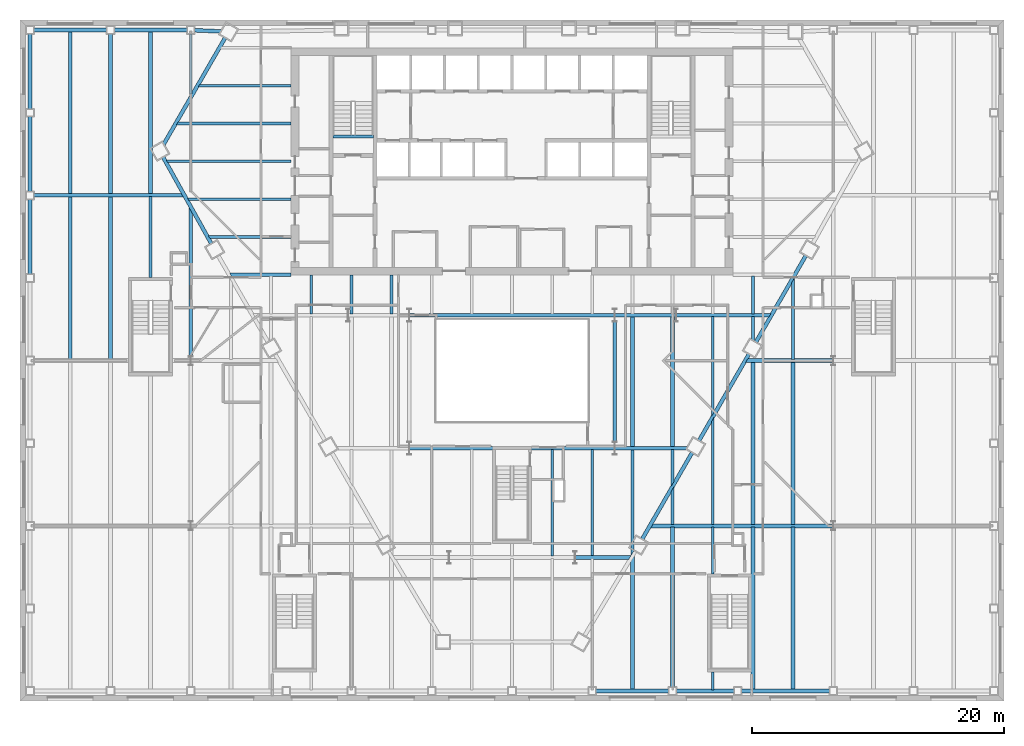
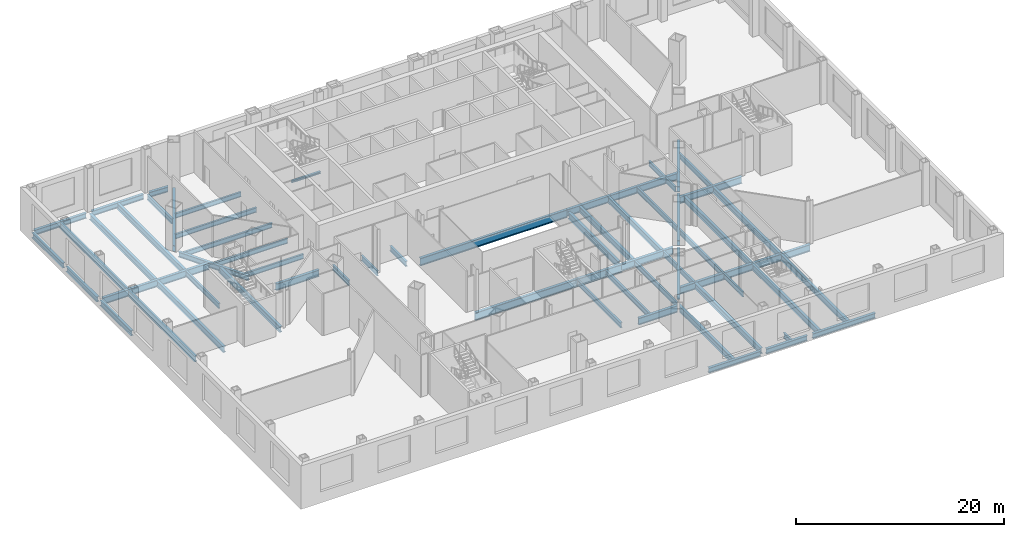
# One storey, part 5 of 21: 62 beams.
"""IFC4 building model written with IfcOpenShell, lengths in metres."""

from ifc_helpers import new_model, si_unit, direction, frame, origin, origin_2d, place, context, subcontext, project, spatial, i_section, extrude, clip, halfspace, material, material_profile, profile_set, type_object, element, save


model = new_model("IFC4")

# Units and contexts
model_context = context("Model", 3, precision=1e-05, world=origin(), true_north=direction((0.0, 1.0)))
body_context = subcontext(model_context, "Body", "Model", "MODEL_VIEW")
ifc_project = project(units=[si_unit("LENGTHUNIT", "METRE"), si_unit("AREAUNIT", "SQUARE_METRE"), si_unit("VOLUMEUNIT", "CUBIC_METRE"), si_unit("PLANEANGLEUNIT", "RADIAN"), si_unit("MASSUNIT", "GRAM", prefix="KILO")], contexts=[model_context])

# Site, building, storey
site_placement = place(None, origin())
site = spatial("IfcSite", under=ifc_project, at=site_placement, CompositionType="ELEMENT")
building_placement = place(site_placement, origin())
building = spatial("IfcBuilding", under=site, at=building_placement, Name="Njiva Tower", CompositionType="ELEMENT")
storey_placement = place(building_placement, frame((0.0, 0.0, 13.5)))
storey = spatial("IfcBuildingStorey", under=building, at=storey_placement, Name="L02", CompositionType="ELEMENT", Elevation=13.5)

# Beams
ifc_material = material(Name="Steel S355 J2", Category="steel")
ifc_material_profile_1 = material_profile(ifc_material, i_section(OverallWidth=0.3, OverallDepth=0.69, WebThickness=0.0145, FlangeThickness=0.027, at=origin_2d()), Name="HEA 700")
ifc_profile_set_1 = profile_set([ifc_material_profile_1], Name="Steel S355 J2")
beam_type_1 = type_object("IfcBeamType", Name="B1 Long-span spandrel beam HEA 700", PredefinedType="SPANDREL", material=ifc_profile_set_1)
beam_1_placement = place(storey_placement, frame((-22.736, 18.791, -0.565), z_axis=(-0.499971337603, -0.866041951395, 0.0), x_axis=(0.866041951395, -0.499971337603, 0.0)))
element("IfcBeam", 1, at=beam_1_placement, inside=storey, type_object=beam_type_1, Name="Long-span spandrel beam L02-B147", PredefinedType="SPANDREL", context=body_context, shape_type="Clipping", body=[
    clip(extrude(i_section(OverallWidth=0.3, OverallDepth=0.69, WebThickness=0.0145, FlangeThickness=0.027, at=origin_2d()), origin(), (0.0, 0.0, 1.0), 9.8456), halfspace(frame((-0.0253, 0.0, 9.7239), z_axis=(-0.500030652022, 0.0, 0.866007706108), x_axis=(0.0, 1.0, 0.0)), False)),
])
ifc_material_profile_2 = material_profile(ifc_material, i_section(OverallWidth=0.21, OverallDepth=0.55, WebThickness=0.0111, FlangeThickness=0.0172, at=origin_2d()), Name="IPE 550")
ifc_profile_set_2 = profile_set([ifc_material_profile_2], Name="Steel S355 J2")
beam_type_2 = type_object("IfcBeamType", Name="B10 Floor beam to the core IPE 550", PredefinedType="BEAM", material=ifc_profile_set_2)
beam_2_placement = place(storey_placement, frame((-24.091, 3.0, -0.495), z_axis=(1.0, 0.0, 0.0), x_axis=(0.0, 1.0, 0.0)))
element("IfcBeam", 2, at=beam_2_placement, inside=storey, type_object=beam_type_2, Name="Floor beam to the core L02-B005", PredefinedType="BEAM", context=body_context, shape_type="Clipping", body=[
    clip(extrude(i_section(OverallWidth=0.21, OverallDepth=0.55, WebThickness=0.0111, FlangeThickness=0.0172, at=origin_2d()), origin(), (0.0, 0.0, 1.0), 6.591), halfspace(frame((-0.0244, 0.0, 0.0929), z_axis=(-0.487051738924, 0.0, -0.87337311821), x_axis=(0.0, -1.0, 0.0)), False)),
])
beam_3_placement = place(storey_placement, frame((-25.764, 6.0, -0.495), z_axis=(1.0, 0.0, 0.0), x_axis=(0.0, 1.0, 0.0)))
element("IfcBeam", 3, at=beam_3_placement, inside=storey, type_object=beam_type_2, Name="Floor beam to the core L02-B003", PredefinedType="BEAM", context=body_context, shape_type="Clipping", body=[
    clip(extrude(i_section(OverallWidth=0.21, OverallDepth=0.55, WebThickness=0.0111, FlangeThickness=0.0172, at=origin_2d()), origin(), (0.0, 0.0, 1.0), 8.264), halfspace(frame((-0.0244, 0.0, 0.093), z_axis=(-0.487051738924, 0.0, -0.87337311821), x_axis=(0.0, -1.0, 0.0)), False)),
])
beam_4_placement = place(storey_placement, frame((-26.622, 12.0, -0.495), z_axis=(1.0, 0.0, 0.0), x_axis=(0.0, 1.0, 0.0)))
element("IfcBeam", 4, at=beam_4_placement, inside=storey, type_object=beam_type_2, Name="Floor beam to the core L02-B002", PredefinedType="BEAM", context=body_context, shape_type="Clipping", body=[
    clip(extrude(i_section(OverallWidth=0.21, OverallDepth=0.55, WebThickness=0.0111, FlangeThickness=0.0172, at=origin_2d()), origin(), (0.0, 0.0, 1.0), 9.122), halfspace(frame((0.025, 0.0, 0.0951), z_axis=(0.499998009787, 0.0, -0.866026552831), x_axis=(0.0, -1.0, 0.0)), False)),
])
beam_5_placement = place(storey_placement, frame((-24.89, 15.0, -0.495), z_axis=(1.0, 0.0, 0.0), x_axis=(0.0, 1.0, 0.0)))
element("IfcBeam", 5, at=beam_5_placement, inside=storey, type_object=beam_type_2, Name="Floor beam to the core L02-B004", PredefinedType="BEAM", context=body_context, shape_type="Clipping", body=[
    clip(extrude(i_section(OverallWidth=0.21, OverallDepth=0.55, WebThickness=0.0111, FlangeThickness=0.0172, at=origin_2d()), origin(), (0.0, 0.0, 1.0), 7.39), halfspace(frame((0.025, 0.0, 0.0951), z_axis=(0.499998009787, 0.0, -0.866026552831), x_axis=(0.0, -1.0, 0.0)), False)),
])
ifc_material_profile_3 = material_profile(ifc_material, i_section(OverallWidth=0.21, OverallDepth=0.55, WebThickness=0.0111, FlangeThickness=0.0172, at=origin_2d()), Name="IPE 550")
ifc_profile_set_3 = profile_set([ifc_material_profile_3], Name="Steel S355 J2")
beam_type_3 = type_object("IfcBeamType", Name="B11 Long-span floor beam to the core IPE 550", PredefinedType="BEAM", material=ifc_profile_set_3)
beam_6_placement = place(storey_placement, frame((-27.437, 9.0, -0.495), z_axis=(1.0, 0.0, 0.0), x_axis=(0.0, 1.0, 0.0)))
element("IfcBeam", 6, at=beam_6_placement, inside=storey, type_object=beam_type_3, Name="Long-span floor beam to the core L02-B001", PredefinedType="BEAM", context=body_context, shape_type="Clipping", body=[
    clip(extrude(i_section(OverallWidth=0.21, OverallDepth=0.55, WebThickness=0.0111, FlangeThickness=0.0172, at=origin_2d()), origin(), (0.0, 0.0, 1.0), 9.937), halfspace(frame((-0.0244, 0.0, 0.093), z_axis=(-0.487051738924, 0.0, -0.87337311821), x_axis=(0.0, -1.0, 0.0)), False)),
])
ifc_material_profile_4 = material_profile(ifc_material, i_section(OverallWidth=0.3, OverallDepth=0.69, WebThickness=0.0145, FlangeThickness=0.027, at=origin_2d()), Name="HEA 700")
ifc_profile_set_4 = profile_set([ifc_material_profile_4], Name="Steel S355 J2")
beam_type_4 = type_object("IfcBeamType", Name="B12 Long-span floor joist HEA 700", PredefinedType="JOIST", material=ifc_profile_set_4)
for number, where, z_axis, x_axis, name in (
    (7, (-35.017, 19.3, -0.565), (0.0, -1.0, 0.0), (1.0, 0.0, 0.0), "Long-span floor joist L02-B039"),
    (8, (-35.017, 6.2, -0.565), (0.0, -1.0, 0.0), (1.0, 0.0, 0.0), "Long-span floor joist L02-B038"),
):
    element("IfcBeam", number, at=place(storey_placement, frame(where, z_axis=z_axis, x_axis=x_axis)), inside=storey, type_object=beam_type_4, Name=name, PredefinedType="JOIST", context=body_context, shape_type="SweptSolid", body=[
        extrude(i_section(OverallWidth=0.3, OverallDepth=0.69, WebThickness=0.0145, FlangeThickness=0.027, at=origin_2d()), origin(), (0.0, 0.0, 1.0), 12.9),
    ])
beam_7_placement = place(storey_placement, frame((-31.833, 19.1, -0.565), z_axis=(0.0, -1.0, 0.0), x_axis=(1.0, 0.0, 0.0)))
element("IfcBeam", 9, at=beam_7_placement, inside=storey, type_object=beam_type_4, Name="Long-span floor joist L02-B043", PredefinedType="JOIST", context=body_context, shape_type="SweptSolid", body=[
    extrude(i_section(OverallWidth=0.3, OverallDepth=0.69, WebThickness=0.0145, FlangeThickness=0.027, at=origin_2d()), origin(), (0.0, 0.0, 1.0), 12.7),
])
for number, where, z_axis, x_axis, name in (
    (10, (-31.833, 6.2, -0.565), (0.0, -1.0, 0.0), (1.0, 0.0, 0.0), "Long-span floor joist L02-B042"),
    (11, (-28.65, 19.3, -0.565), (0.0, -1.0, 0.0), (1.0, 0.0, 0.0), "Long-span floor joist L02-B047"),
):
    element("IfcBeam", number, at=place(storey_placement, frame(where, z_axis=z_axis, x_axis=x_axis)), inside=storey, type_object=beam_type_4, Name=name, PredefinedType="JOIST", context=body_context, shape_type="SweptSolid", body=[
        extrude(i_section(OverallWidth=0.3, OverallDepth=0.69, WebThickness=0.0145, FlangeThickness=0.027, at=origin_2d()), origin(), (0.0, 0.0, 1.0), 12.9),
    ])
beam_8_placement = place(storey_placement, frame((-25.467, 5.288, -0.565), z_axis=(0.0, -1.0, 0.0), x_axis=(1.0, 0.0, 0.0)))
element("IfcBeam", 12, at=beam_8_placement, inside=storey, type_object=beam_type_4, Name="Long-span floor joist L02-B050", PredefinedType="JOIST", context=body_context, shape_type="SweptSolid", body=[
    extrude(i_section(OverallWidth=0.3, OverallDepth=0.69, WebThickness=0.0145, FlangeThickness=0.027, at=origin_2d()), origin(), (0.0, 0.0, 1.0), 11.78),
])
beam_9_placement = place(storey_placement, frame((9.55, -3.3, -0.565), z_axis=(0.0, -1.0, 0.0), x_axis=(1.0, 0.0, 0.0)))
element("IfcBeam", 13, at=beam_9_placement, inside=storey, type_object=beam_type_4, Name="Long-span floor joist L02-B095", PredefinedType="JOIST", context=body_context, shape_type="SweptSolid", body=[
    extrude(i_section(OverallWidth=0.3, OverallDepth=0.69, WebThickness=0.0145, FlangeThickness=0.027, at=origin_2d()), origin(), (0.0, 0.0, 1.0), 10.35),
])
beam_10_placement = place(storey_placement, frame((9.55, -22.243, -0.565), z_axis=(0.0, -1.0, 0.0), x_axis=(1.0, 0.0, 0.0)))
element("IfcBeam", 14, at=beam_10_placement, inside=storey, type_object=beam_type_4, Name="Long-span floor joist L02-B093", PredefinedType="JOIST", context=body_context, shape_type="Clipping", body=[
    clip(extrude(i_section(OverallWidth=0.3, OverallDepth=0.69, WebThickness=0.0145, FlangeThickness=0.027, at=origin_2d()), origin(), (0.0, 0.0, 1.0), 10.657), halfspace(frame((-0.0429, 0.0, 0.2758), z_axis=(-0.858483100847, 0.0, -0.512841852388), x_axis=(0.0, -1.0, 0.0)), False)),
])
beam_11_placement = place(storey_placement, frame((12.733, -3.3, -0.565), z_axis=(0.0, -1.0, 0.0), x_axis=(1.0, 0.0, 0.0)))
element("IfcBeam", 15, at=beam_11_placement, inside=storey, type_object=beam_type_4, Name="Long-span floor joist L02-B100", PredefinedType="JOIST", context=body_context, shape_type="SweptSolid", body=[
    extrude(i_section(OverallWidth=0.3, OverallDepth=0.69, WebThickness=0.0145, FlangeThickness=0.027, at=origin_2d()), origin(), (0.0, 0.0, 1.0), 10.35),
])
beam_12_placement = place(storey_placement, frame((12.733, -20.001, -0.565), z_axis=(0.0, -1.0, 0.0), x_axis=(1.0, 0.0, 0.0)))
element("IfcBeam", 16, at=beam_12_placement, inside=storey, type_object=beam_type_4, Name="Long-span floor joist L02-B097", PredefinedType="JOIST", context=body_context, shape_type="SweptSolid", body=[
    extrude(i_section(OverallWidth=0.3, OverallDepth=0.69, WebThickness=0.0145, FlangeThickness=0.027, at=origin_2d()), origin(), (0.0, 0.0, 1.0), 12.699),
])
for number, where, z_axis, x_axis, name in (
    (17, (19.1, -6.9, -0.565), (0.0, -1.0, 0.0), (1.0, 0.0, 0.0), "Long-span floor joist L02-B108"),
    (18, (19.1, -20.001, -0.565), (0.0, -1.0, 0.0), (1.0, 0.0, 0.0), "Long-span floor joist L02-B107"),
    (19, (22.283, -6.9, -0.565), (0.0, -1.0, 0.0), (1.0, 0.0, 0.0), "Long-span floor joist L02-B112"),
    (20, (22.283, -20.001, -0.565), (0.0, -1.0, 0.0), (1.0, 0.0, 0.0), "Long-span floor joist L02-B111"),
):
    element("IfcBeam", number, at=place(storey_placement, frame(where, z_axis=z_axis, x_axis=x_axis)), inside=storey, type_object=beam_type_4, Name=name, PredefinedType="JOIST", context=body_context, shape_type="SweptSolid", body=[
        extrude(i_section(OverallWidth=0.3, OverallDepth=0.69, WebThickness=0.0145, FlangeThickness=0.027, at=origin_2d()), origin(), (0.0, 0.0, 1.0), 12.899),
    ])
ifc_material_profile_5 = material_profile(ifc_material, i_section(OverallWidth=0.22, OverallDepth=0.6, WebThickness=0.012, FlangeThickness=0.019, at=origin_2d()), Name="IPE 600")
ifc_profile_set_5 = profile_set([ifc_material_profile_5], Name="Steel S355 J2")
beam_type_5 = type_object("IfcBeamType", Name="B13 Floor joist IPE 600", PredefinedType="JOIST", material=ifc_profile_set_5)
beam_13_placement = place(storey_placement, frame((-28.65, 6.2, -0.52), z_axis=(0.0, -1.0, 0.0), x_axis=(1.0, 0.0, 0.0)))
element("IfcBeam", 21, at=beam_13_placement, inside=storey, type_object=beam_type_5, Name="Floor joist L02-B046", PredefinedType="JOIST", context=body_context, shape_type="SweptSolid", body=[
    extrude(i_section(OverallWidth=0.22, OverallDepth=0.6, WebThickness=0.012, FlangeThickness=0.019, at=origin_2d()), origin(), (0.0, 0.0, 1.0), 6.4),
])
beam_14_placement = place(storey_placement, frame((-25.467, 19.1, -0.52), z_axis=(0.0, -1.0, 0.0), x_axis=(1.0, 0.0, 0.0)))
element("IfcBeam", 22, at=beam_14_placement, inside=storey, type_object=beam_type_5, Name="Floor joist L02-B051", PredefinedType="JOIST", context=body_context, shape_type="SweptSolid", body=[
    extrude(i_section(OverallWidth=0.22, OverallDepth=0.6, WebThickness=0.012, FlangeThickness=0.019, at=origin_2d()), origin(), (0.0, 0.0, 1.0), 4.772),
])
for number, where, z_axis, x_axis, name in (
    (23, (3.183, -13.851, -0.52), (0.0, -1.0, 0.0), (1.0, 0.0, 0.0), "Floor joist L02-B087"),
    (24, (6.367, -13.851, -0.52), (0.0, -1.0, 0.0), (1.0, 0.0, 0.0), "Floor joist L02-B091"),
):
    element("IfcBeam", number, at=place(storey_placement, frame(where, z_axis=z_axis, x_axis=x_axis)), inside=storey, type_object=beam_type_5, Name=name, PredefinedType="JOIST", context=body_context, shape_type="SweptSolid", body=[
        extrude(i_section(OverallWidth=0.22, OverallDepth=0.6, WebThickness=0.012, FlangeThickness=0.019, at=origin_2d()), origin(), (0.0, 0.0, 1.0), 8.449),
    ])
beam_15_placement = place(storey_placement, frame((9.55, -13.85, -0.52), z_axis=(0.0, -1.0, 0.0), x_axis=(1.0, 0.0, 0.0)))
element("IfcBeam", 25, at=beam_15_placement, inside=storey, type_object=beam_type_5, Name="Floor joist L02-B094", PredefinedType="JOIST", context=body_context, shape_type="Clipping", body=[
    clip(extrude(i_section(OverallWidth=0.22, OverallDepth=0.6, WebThickness=0.012, FlangeThickness=0.019, at=origin_2d()), origin(), (0.0, 0.0, 1.0), 8.411), halfspace(frame((0.0429, 0.0, 8.1351), z_axis=(0.858483100847, 0.0, 0.512841852388), x_axis=(0.0, 1.0, 0.0)), False)),
])
beam_16_placement = place(storey_placement, frame((15.917, -3.3, -0.52), z_axis=(0.0, -1.0, 0.0), x_axis=(1.0, 0.0, 0.0)))
element("IfcBeam", 26, at=beam_16_placement, inside=storey, type_object=beam_type_5, Name="Floor joist L02-B105", PredefinedType="JOIST", context=body_context, shape_type="Clipping", body=[
    clip(extrude(i_section(OverallWidth=0.22, OverallDepth=0.6, WebThickness=0.012, FlangeThickness=0.019, at=origin_2d()), origin(), (0.0, 0.0, 1.0), 7.964), halfspace(frame((0.043, 0.0, 7.6783), z_axis=(0.866026552831, 0.0, 0.499998009787), x_axis=(0.0, 1.0, 0.0)), False)),
])
beam_17_placement = place(storey_placement, frame((15.917, -11.242, -0.52), z_axis=(0.0, -1.0, 0.0), x_axis=(1.0, 0.0, 0.0)))
element("IfcBeam", 27, at=beam_17_placement, inside=storey, type_object=beam_type_5, Name="Floor joist L02-B104", PredefinedType="JOIST", context=body_context, shape_type="Clipping", body=[
    clip(extrude(i_section(OverallWidth=0.22, OverallDepth=0.6, WebThickness=0.012, FlangeThickness=0.019, at=origin_2d()), origin(), (0.0, 0.0, 1.0), 8.557), halfspace(frame((-0.0436, 0.0, 0.2863), z_axis=(-0.866026552831, 0.0, -0.499998009787), x_axis=(0.0, -1.0, 0.0)), False)),
])
beam_18_placement = place(storey_placement, frame((22.283, -0.215, -0.52), z_axis=(0.0, -1.0, 0.0), x_axis=(1.0, 0.0, 0.0)))
element("IfcBeam", 28, at=beam_18_placement, inside=storey, type_object=beam_type_5, Name="Floor joist L02-B113", PredefinedType="JOIST", context=body_context, shape_type="Clipping", body=[
    clip(extrude(i_section(OverallWidth=0.22, OverallDepth=0.6, WebThickness=0.012, FlangeThickness=0.019, at=origin_2d()), origin(), (0.0, 0.0, 1.0), 6.485), halfspace(frame((-0.043, 0.0, 0.2859), z_axis=(-0.866026552831, 0.0, -0.499998009787), x_axis=(0.0, -1.0, 0.0)), False)),
])
ifc_material_profile_6 = material_profile(ifc_material, i_section(OverallWidth=0.22, OverallDepth=0.6, WebThickness=0.012, FlangeThickness=0.019, at=origin_2d()), Name="IPE 600")
ifc_profile_set_6 = profile_set([ifc_material_profile_6], Name="Steel S355 J2")
beam_type_6 = type_object("IfcBeamType", Name="B14 Short-span floor joist IPE 600", PredefinedType="JOIST", material=ifc_profile_set_6)
for number, where, z_axis, x_axis, name in (
    (29, (-15.917, -0.005, -0.52), (0.0, -1.0, 0.0), (1.0, 0.0, 0.0), "Short-span floor joist L02-B063"),
    (30, (-12.733, -0.005, -0.52), (0.0, -1.0, 0.0), (1.0, 0.0, 0.0), "Short-span floor joist L02-B068"),
    (31, (-9.55, -0.005, -0.52), (0.0, -1.0, 0.0), (1.0, 0.0, 0.0), "Short-span floor joist L02-B072"),
):
    element("IfcBeam", number, at=place(storey_placement, frame(where, z_axis=z_axis, x_axis=x_axis)), inside=storey, type_object=beam_type_6, Name=name, PredefinedType="JOIST", context=body_context, shape_type="SweptSolid", body=[
        extrude(i_section(OverallWidth=0.22, OverallDepth=0.6, WebThickness=0.012, FlangeThickness=0.019, at=origin_2d()), origin(), (0.0, 0.0, 1.0), 3.095),
    ])
beam_19_placement = place(storey_placement, frame((12.733, -13.85, -0.52), z_axis=(0.0, -1.0, 0.0), x_axis=(1.0, 0.0, 0.0)))
element("IfcBeam", 32, at=beam_19_placement, inside=storey, type_object=beam_type_6, Name="Short-span floor joist L02-B099", PredefinedType="JOIST", context=body_context, shape_type="Clipping", body=[
    clip(extrude(i_section(OverallWidth=0.22, OverallDepth=0.6, WebThickness=0.012, FlangeThickness=0.019, at=origin_2d()), origin(), (0.0, 0.0, 1.0), 2.928), halfspace(frame((0.0436, 0.0, 2.642), z_axis=(0.866026552831, 0.0, 0.499998009787), x_axis=(0.0, 1.0, 0.0)), False)),
])
beam_20_placement = place(storey_placement, frame((12.733, -16.756, -0.52), z_axis=(0.0, -1.0, 0.0), x_axis=(1.0, 0.0, 0.0)))
element("IfcBeam", 33, at=beam_20_placement, inside=storey, type_object=beam_type_6, Name="Short-span floor joist L02-B098", PredefinedType="JOIST", context=body_context, shape_type="Clipping", body=[
    clip(extrude(i_section(OverallWidth=0.22, OverallDepth=0.6, WebThickness=0.012, FlangeThickness=0.019, at=origin_2d()), origin(), (0.0, 0.0, 1.0), 3.043), halfspace(frame((-0.043, 0.0, 0.286), z_axis=(-0.866026552831, 0.0, -0.499998009787), x_axis=(0.0, -1.0, 0.0)), False)),
])
beam_21_placement = place(storey_placement, frame((15.917, -20.001, -0.52), z_axis=(0.0, -1.0, 0.0), x_axis=(1.0, 0.0, 0.0)))
element("IfcBeam", 34, at=beam_21_placement, inside=storey, type_object=beam_type_6, Name="Short-span floor joist L02-B103", PredefinedType="JOIST", context=body_context, shape_type="SweptSolid", body=[
    extrude(i_section(OverallWidth=0.22, OverallDepth=0.6, WebThickness=0.012, FlangeThickness=0.019, at=origin_2d()), origin(), (0.0, 0.0, 1.0), 3.699),
])
beam_22_placement = place(storey_placement, frame((15.917, -31.5, -0.52), z_axis=(0.0, -1.0, 0.0), x_axis=(1.0, 0.0, 0.0)))
element("IfcBeam", 35, at=beam_22_placement, inside=storey, type_object=beam_type_6, Name="Short-span floor joist L02-B102", PredefinedType="JOIST", context=body_context, shape_type="SweptSolid", body=[
    extrude(i_section(OverallWidth=0.22, OverallDepth=0.6, WebThickness=0.012, FlangeThickness=0.019, at=origin_2d()), origin(), (0.0, 0.0, 1.0), 1.4),
])
beam_23_placement = place(storey_placement, frame((19.1, -0.1, -0.52), z_axis=(0.0, -1.0, 0.0), x_axis=(1.0, 0.0, 0.0)))
element("IfcBeam", 36, at=beam_23_placement, inside=storey, type_object=beam_type_6, Name="Short-span floor joist L02-B110", PredefinedType="JOIST", context=body_context, shape_type="SweptSolid", body=[
    extrude(i_section(OverallWidth=0.22, OverallDepth=0.6, WebThickness=0.012, FlangeThickness=0.019, at=origin_2d()), origin(), (0.0, 0.0, 1.0), 3.0),
])
beam_24_placement = place(storey_placement, frame((19.1, -3.3, -0.52), z_axis=(0.0, -1.0, 0.0), x_axis=(1.0, 0.0, 0.0)))
element("IfcBeam", 37, at=beam_24_placement, inside=storey, type_object=beam_type_6, Name="Short-span floor joist L02-B109", PredefinedType="JOIST", context=body_context, shape_type="Clipping", body=[
    clip(extrude(i_section(OverallWidth=0.22, OverallDepth=0.6, WebThickness=0.012, FlangeThickness=0.019, at=origin_2d()), origin(), (0.0, 0.0, 1.0), 1.978), halfspace(frame((-0.025, 0.0, 1.88), z_axis=(-0.499998009787, 0.0, 0.866026552831), x_axis=(0.0, 1.0, 0.0)), False)),
])
ifc_material_profile_7 = material_profile(ifc_material, i_section(OverallWidth=0.3, OverallDepth=0.6, WebThickness=0.0155, FlangeThickness=0.03, at=origin_2d()), Name="HEB 600")
ifc_profile_set_7 = profile_set([ifc_material_profile_7], Name="Steel S355 J2")
beam_type_7 = type_object("IfcBeamType", Name="B2 Spandrel beam HEB 600", PredefinedType="SPANDREL", material=ifc_profile_set_7)
beam_25_placement = place(storey_placement, frame((-27.654, 9.326, -0.52), z_axis=(0.487083289159, -0.873355522924, 0.0), x_axis=(0.873355522924, 0.487083289159, 0.0)))
element("IfcBeam", 38, at=beam_25_placement, inside=storey, type_object=beam_type_7, Name="Spandrel beam L02-B146", PredefinedType="SPANDREL", context=body_context, shape_type="SweptSolid", body=[
    extrude(i_section(OverallWidth=0.3, OverallDepth=0.6, WebThickness=0.0155, FlangeThickness=0.03, at=origin_2d()), origin(), (0.0, 0.0, 1.0), 7.8364),
])
beam_26_placement = place(storey_placement, frame((10.321, -20.946, -0.52), z_axis=(0.499930249268, 0.866065670643, 0.0), x_axis=(-0.866065670643, 0.499930249268, 0.0)))
element("IfcBeam", 39, at=beam_26_placement, inside=storey, type_object=beam_type_7, Name="Spandrel beam L02-B167", PredefinedType="SPANDREL", context=body_context, shape_type="SweptSolid", body=[
    extrude(i_section(OverallWidth=0.3, OverallDepth=0.6, WebThickness=0.0155, FlangeThickness=0.03, at=origin_2d()), origin(), (0.0, 0.0, 1.0), 7.9151),
])
beam_27_placement = place(storey_placement, frame((14.828, -13.139, -0.52), z_axis=(0.499970304126, 0.866042548026, 0.0), x_axis=(-0.866042548026, 0.499970304126, 0.0)))
element("IfcBeam", 40, at=beam_27_placement, inside=storey, type_object=beam_type_7, Name="Spandrel beam L02-B170", PredefinedType="SPANDREL", context=body_context, shape_type="SweptSolid", body=[
    extrude(i_section(OverallWidth=0.3, OverallDepth=0.6, WebThickness=0.0155, FlangeThickness=0.03, at=origin_2d()), origin(), (0.0, 0.0, 1.0), 7.9165),
])
beam_28_placement = place(storey_placement, frame((19.336, -5.331, -0.52), z_axis=(0.500025004646, 0.866010966864, 0.0), x_axis=(-0.866010966864, 0.500025004646, 0.0)))
element("IfcBeam", 41, at=beam_28_placement, inside=storey, type_object=beam_type_7, Name="Spandrel beam L02-B172", PredefinedType="SPANDREL", context=body_context, shape_type="SweptSolid", body=[
    extrude(i_section(OverallWidth=0.3, OverallDepth=0.6, WebThickness=0.0155, FlangeThickness=0.03, at=origin_2d()), origin(), (0.0, 0.0, 1.0), 7.9156),
])
for number, where, z_axis, x_axis, name in (
    (42, (-38.2, 19.1, -0.52), (0.0, -1.0, 0.0), (1.0, 0.0, 0.0), "Spandrel beam L02-B141"),
    (43, (-38.2, 12.55, -0.52), (0.0, -1.0, 0.0), (1.0, 0.0, 0.0), "Spandrel beam L02-B140"),
    (44, (-38.2, 6.0, -0.52), (0.0, -1.0, 0.0), (1.0, 0.0, 0.0), "Spandrel beam L02-B139"),
):
    element("IfcBeam", number, at=place(storey_placement, frame(where, z_axis=z_axis, x_axis=x_axis)), inside=storey, type_object=beam_type_7, Name=name, PredefinedType="SPANDREL", context=body_context, shape_type="SweptSolid", body=[
        extrude(i_section(OverallWidth=0.3, OverallDepth=0.6, WebThickness=0.0155, FlangeThickness=0.03, at=origin_2d()), origin(), (0.0, 0.0, 1.0), 5.95),
    ])
beam_29_placement = place(storey_placement, frame((6.667, -33.0, -0.52), z_axis=(1.0, 0.0, 0.0), x_axis=(0.0, 1.0, 0.0)))
element("IfcBeam", 45, at=beam_29_placement, inside=storey, type_object=beam_type_7, Name="Spandrel beam L02-B165", PredefinedType="SPANDREL", context=body_context, shape_type="SweptSolid", body=[
    extrude(i_section(OverallWidth=0.3, OverallDepth=0.6, WebThickness=0.0155, FlangeThickness=0.03, at=origin_2d()), origin(), (0.0, 0.0, 1.0), 5.766),
])
beam_30_placement = place(storey_placement, frame((13.033, -33.0, -0.52), z_axis=(1.0, 0.0, 0.0), x_axis=(0.0, 1.0, 0.0)))
element("IfcBeam", 46, at=beam_30_placement, inside=storey, type_object=beam_type_7, Name="Spandrel beam L02-B168", PredefinedType="SPANDREL", context=body_context, shape_type="SweptSolid", body=[
    extrude(i_section(OverallWidth=0.3, OverallDepth=0.6, WebThickness=0.0155, FlangeThickness=0.03, at=origin_2d()), origin(), (0.0, 0.0, 1.0), 4.567),
])
beam_31_placement = place(storey_placement, frame((18.2, -33.0, -0.52), z_axis=(1.0, 0.0, 0.0), x_axis=(0.0, 1.0, 0.0)))
element("IfcBeam", 47, at=beam_31_placement, inside=storey, type_object=beam_type_7, Name="Spandrel beam L02-B171", PredefinedType="SPANDREL", context=body_context, shape_type="SweptSolid", body=[
    extrude(i_section(OverallWidth=0.3, OverallDepth=0.6, WebThickness=0.0155, FlangeThickness=0.03, at=origin_2d()), origin(), (0.0, 0.0, 1.0), 6.967),
])
beam_32_placement = place(storey_placement, frame((-37.9, 19.4, -0.52), z_axis=(1.0, 0.0, 0.0), x_axis=(0.0, 1.0, 0.0)))
element("IfcBeam", 48, at=beam_32_placement, inside=storey, type_object=beam_type_7, Name="Spandrel beam L02-B143", PredefinedType="SPANDREL", context=body_context, shape_type="SweptSolid", body=[
    extrude(i_section(OverallWidth=0.3, OverallDepth=0.6, WebThickness=0.0155, FlangeThickness=0.03, at=origin_2d()), origin(), (0.0, 0.0, 1.0), 5.767),
])
beam_33_placement = place(storey_placement, frame((-31.533, 19.4, -0.52), z_axis=(1.0, 0.0, 0.0), x_axis=(0.0, 1.0, 0.0)))
element("IfcBeam", 49, at=beam_33_placement, inside=storey, type_object=beam_type_7, Name="Spandrel beam L02-B145", PredefinedType="SPANDREL", context=body_context, shape_type="SweptSolid", body=[
    extrude(i_section(OverallWidth=0.3, OverallDepth=0.6, WebThickness=0.0155, FlangeThickness=0.03, at=origin_2d()), origin(), (0.0, 0.0, 1.0), 5.766),
])
ifc_material_profile_8 = material_profile(ifc_material, i_section(OverallWidth=0.3, OverallDepth=0.6, WebThickness=0.0155, FlangeThickness=0.03, at=origin_2d()), Name="HEB 600")
ifc_profile_set_8 = profile_set([ifc_material_profile_8], Name="Steel S355 J2")
beam_type_8 = type_object("IfcBeamType", Name="B3 Short-span spandrel beam HEB 600", PredefinedType="SPANDREL", material=ifc_profile_set_8)
beam_34_placement = place(storey_placement, frame((-25.161, 19.386, -0.52), z_axis=(0.999024189577, -0.044166374551, 0.0), x_axis=(0.044166374551, 0.999024189577, 0.0)))
element("IfcBeam", 50, at=beam_34_placement, inside=storey, type_object=beam_type_8, Name="Short-span spandrel beam L02-B149", PredefinedType="SPANDREL", context=body_context, shape_type="Clipping", body=[
    clip(extrude(i_section(OverallWidth=0.3, OverallDepth=0.6, WebThickness=0.0155, FlangeThickness=0.03, at=origin_2d()), origin(), (0.0, 0.0, 1.0), 2.181), halfspace(frame((-0.0228, 0.0, 2.0707), z_axis=(-0.461260853414, 0.0, 0.887264574469), x_axis=(0.0, 1.0, 0.0)), False)),
])
ifc_material_profile_9 = material_profile(ifc_material, i_section(OverallWidth=0.3, OverallDepth=0.79, WebThickness=0.015, FlangeThickness=0.028, at=origin_2d()), Name="HEA 800")
ifc_profile_set_9 = profile_set([ifc_material_profile_9], Name="Steel S355 J2")
beam_type_9 = type_object("IfcBeamType", Name="B4 Floor girder HEA 800", PredefinedType="BEAM", material=ifc_profile_set_9)
beam_35_placement = place(storey_placement, frame((8.15, -3.2, -0.615), z_axis=(1.0, 0.0, 0.0), x_axis=(0.0, 1.0, 0.0)))
element("IfcBeam", 51, at=beam_35_placement, inside=storey, type_object=beam_type_9, Name="Floor girder L02-B027", PredefinedType="BEAM", context=body_context, shape_type="SweptSolid", body=[
    extrude(i_section(OverallWidth=0.3, OverallDepth=0.79, WebThickness=0.015, FlangeThickness=0.028, at=origin_2d()), origin(), (0.0, 0.0, 1.0), 4.85),
])
beam_36_placement = place(storey_placement, frame((13.0, -3.2, -0.615), z_axis=(1.0, 0.0, 0.0), x_axis=(0.0, 1.0, 0.0)))
element("IfcBeam", 52, at=beam_36_placement, inside=storey, type_object=beam_type_9, Name="Floor girder L02-B029", PredefinedType="BEAM", context=body_context, shape_type="Clipping", body=[
    clip(extrude(i_section(OverallWidth=0.3, OverallDepth=0.79, WebThickness=0.015, FlangeThickness=0.028, at=origin_2d()), origin(), (0.0, 0.0, 1.0), 7.558), halfspace(frame((-0.025, 0.0, 7.4363), z_axis=(-0.499998009787, 0.0, 0.866026552831), x_axis=(0.0, 1.0, 0.0)), False)),
])
beam_37_placement = place(storey_placement, frame((8.15, -13.75, -0.615), z_axis=(1.0, 0.0, 0.0), x_axis=(0.0, 1.0, 0.0)))
element("IfcBeam", 53, at=beam_37_placement, inside=storey, type_object=beam_type_9, Name="Floor girder L02-B026", PredefinedType="BEAM", context=body_context, shape_type="Clipping", body=[
    clip(extrude(i_section(OverallWidth=0.3, OverallDepth=0.79, WebThickness=0.015, FlangeThickness=0.028, at=origin_2d()), origin(), (0.0, 0.0, 1.0), 5.797), halfspace(frame((-0.025, 0.0, 5.6755), z_axis=(-0.499998009787, 0.0, 0.866026552831), x_axis=(0.0, 1.0, 0.0)), False)),
])
beam_38_placement = place(storey_placement, frame((-22.405, 0.0, -0.615), z_axis=(1.0, 0.0, 0.0), x_axis=(0.0, 1.0, 0.0)))
element("IfcBeam", 54, at=beam_38_placement, inside=storey, type_object=beam_type_9, Name="Floor girder L02-B019", PredefinedType="BEAM", context=body_context, shape_type="Clipping", body=[
    clip(extrude(i_section(OverallWidth=0.3, OverallDepth=0.79, WebThickness=0.015, FlangeThickness=0.028, at=origin_2d()), origin(), (0.0, 0.0, 1.0), 4.905), halfspace(frame((-0.025, 0.0, 0.1211), z_axis=(-0.499998009787, 0.0, -0.866026552831), x_axis=(0.0, -1.0, 0.0)), False)),
])
beam_39_placement = place(storey_placement, frame((18.496, -6.8, -0.615), z_axis=(1.0, 0.0, 0.0), x_axis=(0.0, 1.0, 0.0)))
element("IfcBeam", 55, at=beam_39_placement, inside=storey, type_object=beam_type_9, Name="Floor girder L02-B031", PredefinedType="BEAM", context=body_context, shape_type="Clipping", body=[
    clip(extrude(i_section(OverallWidth=0.3, OverallDepth=0.79, WebThickness=0.015, FlangeThickness=0.028, at=origin_2d()), origin(), (0.0, 0.0, 1.0), 6.971), halfspace(frame((0.025, 0.0, 0.1217), z_axis=(0.499998009787, 0.0, -0.866026552831), x_axis=(0.0, -1.0, 0.0)), False)),
])
ifc_material_profile_10 = material_profile(ifc_material, i_section(OverallWidth=0.3, OverallDepth=0.79, WebThickness=0.015, FlangeThickness=0.028, at=origin_2d()), Name="HEA 800")
ifc_profile_set_10 = profile_set([ifc_material_profile_10], Name="Steel S355 J2")
beam_type_10 = type_object("IfcBeamType", Name="B5 Short-span floor girder HEA 800", PredefinedType="BEAM", material=ifc_profile_set_10)
beam_40_placement = place(storey_placement, frame((5.0, -22.4, -0.615), z_axis=(1.0, 0.0, 0.0), x_axis=(0.0, 1.0, 0.0)))
element("IfcBeam", 56, at=beam_40_placement, inside=storey, type_object=beam_type_10, Name="Short-span floor girder L02-B025", PredefinedType="BEAM", context=body_context, shape_type="Clipping", body=[
    clip(extrude(i_section(OverallWidth=0.3, OverallDepth=0.79, WebThickness=0.015, FlangeThickness=0.028, at=origin_2d()), origin(), (0.0, 0.0, 1.0), 4.455), halfspace(frame((-0.0256, 0.0, 4.3297), z_axis=(-0.512841852388, 0.0, 0.858483100847), x_axis=(0.0, 1.0, 0.0)), False)),
])
ifc_material_profile_11 = material_profile(ifc_material, i_section(OverallWidth=0.3, OverallDepth=0.79, WebThickness=0.015, FlangeThickness=0.028, at=origin_2d()), Name="HEA 800")
ifc_profile_set_11 = profile_set([ifc_material_profile_11], Name="Steel S355 J2")
beam_type_11 = type_object("IfcBeamType", Name="B6 Long-span floor girder HEA 800", PredefinedType="BEAM", material=ifc_profile_set_11)
beam_41_placement = place(storey_placement, frame((-37.9, 6.3, -0.615), z_axis=(1.0, 0.0, 0.0), x_axis=(0.0, 1.0, 0.0)))
element("IfcBeam", 57, at=beam_41_placement, inside=storey, type_object=beam_type_11, Name="Long-span floor girder L02-B015", PredefinedType="BEAM", context=body_context, shape_type="SweptSolid", body=[
    extrude(i_section(OverallWidth=0.3, OverallDepth=0.79, WebThickness=0.015, FlangeThickness=0.028, at=origin_2d()), origin(), (0.0, 0.0, 1.0), 11.865),
])
ifc_material_profile_12 = material_profile(ifc_material, i_section(OverallWidth=0.303, OverallDepth=0.814, WebThickness=0.021, FlangeThickness=0.04, at=origin_2d()), Name="HEM 800")
ifc_profile_set_12 = profile_set([ifc_material_profile_12], Name="Steel S355 J2")
beam_type_12 = type_object("IfcBeamType", Name="B7 Long-span floor girder HEM 800", PredefinedType="BEAM", material=ifc_profile_set_12)
beam_42_placement = place(storey_placement, frame((10.933, -19.9, -0.627), z_axis=(1.0, 0.0, 0.0), x_axis=(0.0, 1.0, 0.0)))
element("IfcBeam", 58, at=beam_42_placement, inside=storey, type_object=beam_type_12, Name="Long-span floor girder L02-B028", PredefinedType="BEAM", context=body_context, shape_type="Clipping", body=[
    clip(extrude(i_section(OverallWidth=0.303, OverallDepth=0.814, WebThickness=0.021, FlangeThickness=0.04, at=origin_2d()), origin(), (0.0, 0.0, 1.0), 14.534), halfspace(frame((0.025, 0.0, 0.1214), z_axis=(0.499998009787, 0.0, -0.866026552831), x_axis=(0.0, -1.0, 0.0)), False)),
])
ifc_material_profile_13 = material_profile(ifc_material, i_section(OverallWidth=0.302, OverallDepth=0.91, WebThickness=0.021, FlangeThickness=0.04, at=origin_2d()), Name="HEM 900")
ifc_profile_set_13 = profile_set([ifc_material_profile_13], Name="Steel S355 J2")
beam_type_13 = type_object("IfcBeamType", Name="B8 Long-span atrium trimmer beam HEM 900", PredefinedType="BEAM", material=ifc_profile_set_13)
for number, where, z_axis, x_axis, name in (
    (59, (-8.15, -13.75, -0.675), (1.0, 0.0, 0.0), (0.0, 1.0, 0.0), "Long-span atrium trimmer beam L02-B130"),
    (60, (8.15, -3.2, -0.675), (-1.0, 0.0, 0.0), (0.0, -1.0, 0.0), "Long-span atrium trimmer beam L02-B132"),
):
    element("IfcBeam", number, at=place(storey_placement, frame(where, z_axis=z_axis, x_axis=x_axis)), inside=storey, type_object=beam_type_13, Name=name, PredefinedType="BEAM", context=body_context, shape_type="SweptSolid", body=[
        extrude(i_section(OverallWidth=0.302, OverallDepth=0.91, WebThickness=0.021, FlangeThickness=0.04, at=origin_2d()), origin(), (0.0, 0.0, 1.0), 16.3),
    ])
ifc_material_profile_14 = material_profile(ifc_material, i_section(OverallWidth=0.3, OverallDepth=0.79, WebThickness=0.015, FlangeThickness=0.028, at=origin_2d()), Name="HEA 800")
ifc_profile_set_14 = profile_set([ifc_material_profile_14], Name="Steel S355 J2")
beam_type_14 = type_object("IfcBeamType", Name="B9 Long-span atrium trimmer beam HEA 800", PredefinedType="BEAM", material=ifc_profile_set_14)
beam_43_placement = place(storey_placement, frame((8.15, -13.296, -0.615), z_axis=(0.0, 1.0, 0.0), x_axis=(-1.0, 0.0, 0.0)))
element("IfcBeam", 61, at=beam_43_placement, inside=storey, type_object=beam_type_14, Name="Long-span atrium trimmer beam L02-B133", PredefinedType="BEAM", context=body_context, shape_type="SweptSolid", body=[
    extrude(i_section(OverallWidth=0.3, OverallDepth=0.79, WebThickness=0.015, FlangeThickness=0.028, at=origin_2d()), origin(), (0.0, 0.0, 1.0), 9.642),
])
ifc_material_profile_15 = material_profile(ifc_material, i_section(OverallWidth=0.24, OverallDepth=0.23, WebThickness=0.0075, FlangeThickness=0.012, at=origin_2d()), Name="HEA240")
ifc_profile_set_15 = profile_set([ifc_material_profile_15], Name="Steel S355 J2")
beam_type_15 = type_object("IfcBeamType", Name="FL8 Landing beam HEA 240", PredefinedType="BEAM", material=ifc_profile_set_15)
beam_44_placement = place(storey_placement, frame((-14.206, 10.98, 2.235), z_axis=(1.0, 0.0, 0.0), x_axis=(0.0, 1.0, 0.0)))
element("IfcBeam", 62, at=beam_44_placement, inside=storey, type_object=beam_type_15, Name="Landing beam", PredefinedType="BEAM", context=body_context, shape_type="SweptSolid", body=[
    extrude(i_section(OverallWidth=0.24, OverallDepth=0.23, WebThickness=0.0075, FlangeThickness=0.012, at=origin_2d()), origin(), (0.0, 0.0, 1.0), 3.212),
])

save(model, "model.ifc")
